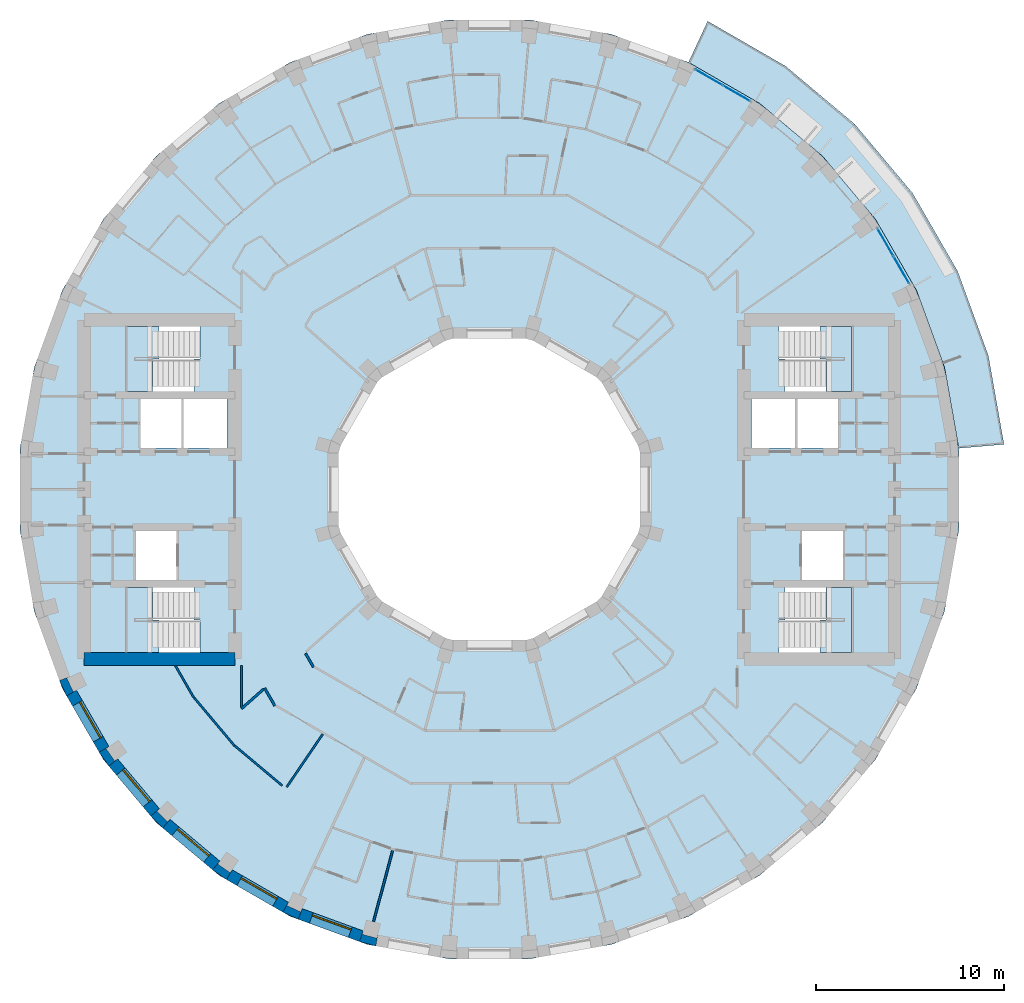
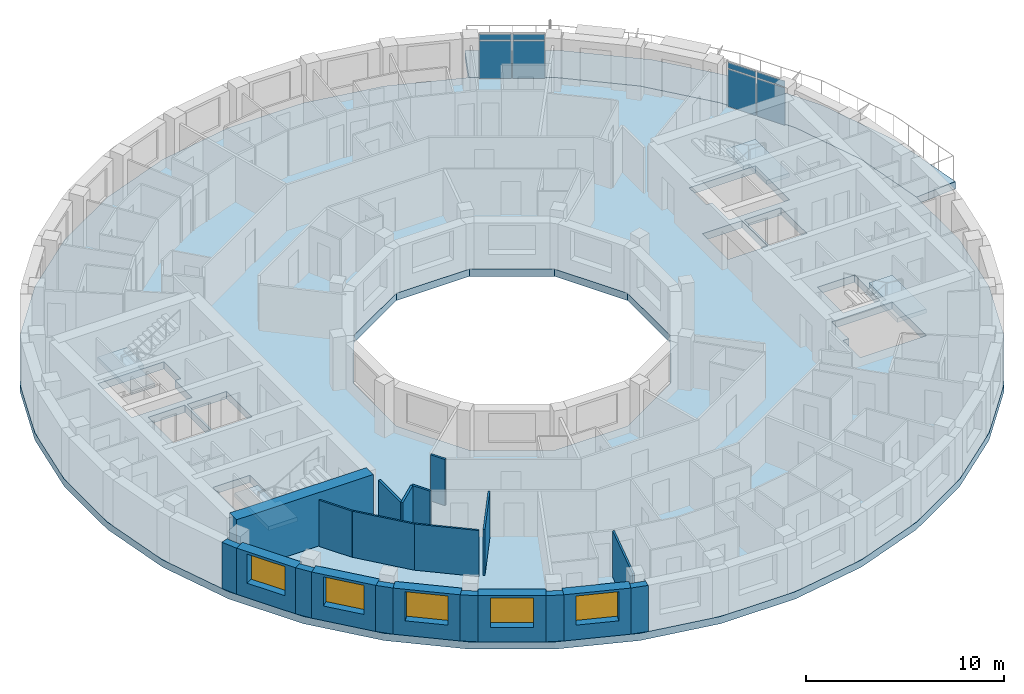
# One storey, part 3 of 15: 21 walls, 8 plates, 6 slabs, 5 windows, 5 openings, 6 elements without a shape of their own.
"""IFC4 building model written with IfcOpenShell, lengths in metres."""

from ifc_helpers import new_model, si_unit, direction, frame, frame_2d, origin, origin_2d, place, context, subcontext, project, spatial, polyline, rectangle, outline, extrude, material, layer, layer_set, type_object, element, fill, aggregate, save


model = new_model("IFC4")

# Units and contexts
model_context = context("Model", 3, precision=1e-05, world=origin(), true_north=direction((0.0, 1.0)))
body_context = subcontext(model_context, "Body", "Model", "MODEL_VIEW")
ifc_project = project(units=[si_unit("LENGTHUNIT", "METRE"), si_unit("AREAUNIT", "SQUARE_METRE"), si_unit("VOLUMEUNIT", "CUBIC_METRE"), si_unit("PLANEANGLEUNIT", "RADIAN"), si_unit("MASSUNIT", "GRAM", prefix="KILO")], contexts=[model_context])

# Site, building, storey
site_placement = place(None, origin())
site = spatial("IfcSite", under=ifc_project, at=site_placement, CompositionType="ELEMENT")
building_placement = place(site_placement, origin())
building = spatial("IfcBuilding", under=site, at=building_placement, Name="Saqina Gate Tower", CompositionType="ELEMENT")
storey_placement = place(building_placement, frame((0.0, 0.0, 190.5)))
storey = spatial("IfcBuildingStorey", under=building, at=storey_placement, Name="L54", CompositionType="ELEMENT", Elevation=190.5)

# Curtain wall, plates
ifc_material_1 = material(Name="Aluminium glazing", Category="aluminium")
ifc_layer_1 = layer(ifc_material_1, 0.159912109375)
ifc_layer_set_1 = layer_set([ifc_layer_1], Name="CWT-4")
curtain_wall_type = type_object("IfcCurtainWallType", Name="CWT-4", PredefinedType="NOTDEFINED", material=ifc_layer_set_1)
curtain_wall_1_placement = place(storey_placement, origin())
curtain_wall_1 = element("IfcCurtainWall", 1, at=curtain_wall_1_placement, inside=storey, type_object=curtain_wall_type, Name="Terrace lounge glazing facet 3", PredefinedType="NOTDEFINED")
ifc_material_2 = material(Name="Glass", Category="glass")
ifc_layer_2 = layer(ifc_material_2, 0.028076171875)
ifc_layer_set_2 = layer_set([ifc_layer_2], Name="CWT-4P")
plate_type = type_object("IfcPlateType", Name="CWT-4P", PredefinedType="CURTAIN_PANEL", material=ifc_layer_set_2)
plate_1_placement = place(storey_placement, frame((21.862060546875, 11.6435546875, 0.06005859375), z_axis=(0.0, 0.0, 1.0), x_axis=(-0.500014364391, 0.866017110341, 0.0)))
plate_1 = element("IfcPlate", 2, at=plate_1_placement, type_object=plate_type, Name="CW4-03 panel 1.1", PredefinedType="CURTAIN_PANEL", context=body_context, shape_type="SweptSolid", body=[
    extrude(rectangle(XDim=1.634765625, YDim=0.028076171875, at=origin_2d()), origin(), (0.0, 0.0, 1.0), 2.31005859375),
])
plate_2_placement = place(storey_placement, frame((21.862060546875, 11.6435546875, 2.43017578125), z_axis=(0.0, 0.0, 1.0), x_axis=(-0.500014364391, 0.866017110341, 0.0)))
plate_2 = element("IfcPlate", 3, at=plate_2_placement, type_object=plate_type, Name="CW4-03 panel 1.2", PredefinedType="CURTAIN_PANEL", context=body_context, shape_type="SweptSolid", body=[
    extrude(rectangle(XDim=1.634765625, YDim=0.028076171875, at=origin_2d()), origin(), (0.0, 0.0, 1.0), 0.360107421875),
])
plate_3_placement = place(storey_placement, frame((21.0146484375, 13.111328125, 0.06005859375), z_axis=(0.0, 0.0, 1.0), x_axis=(-0.500014364391, 0.866017110341, 0.0)))
plate_3 = element("IfcPlate", 4, at=plate_3_placement, type_object=plate_type, Name="CW4-03 panel 2.1", PredefinedType="CURTAIN_PANEL", context=body_context, shape_type="SweptSolid", body=[
    extrude(rectangle(XDim=1.634765625, YDim=0.028076171875, at=origin_2d()), origin(), (0.0, 0.0, 1.0), 2.31005859375),
])
plate_4_placement = place(storey_placement, frame((21.0146484375, 13.111328125, 2.43017578125), z_axis=(0.0, 0.0, 1.0), x_axis=(-0.500014364391, 0.866017110341, 0.0)))
plate_4 = element("IfcPlate", 5, at=plate_4_placement, type_object=plate_type, Name="CW4-03 panel 2.2", PredefinedType="CURTAIN_PANEL", context=body_context, shape_type="SweptSolid", body=[
    extrude(rectangle(XDim=1.634765625, YDim=0.028076171875, at=origin_2d()), origin(), (0.0, 0.0, 1.0), 0.360107421875),
])
aggregate(curtain_wall_1, [plate_1, plate_2, plate_3, plate_4])

curtain_wall_2_placement = place(storey_placement, origin())
curtain_wall_2 = element("IfcCurtainWall", 6, at=curtain_wall_2_placement, inside=storey, type_object=curtain_wall_type, Name="Terrace lounge glazing facet 6", PredefinedType="NOTDEFINED")
plate_5_placement = place(storey_placement, frame((13.111328125, 21.0146484375, 0.06005859375), z_axis=(0.0, 0.0, 1.0), x_axis=(-0.866017110341, 0.500014364391, 0.0)))
plate_5 = element("IfcPlate", 7, at=plate_5_placement, type_object=plate_type, Name="CW4-06 panel 1.1", PredefinedType="CURTAIN_PANEL", context=body_context, shape_type="SweptSolid", body=[
    extrude(rectangle(XDim=1.634765625, YDim=0.028076171875, at=origin_2d()), origin(), (0.0, 0.0, 1.0), 2.31005859375),
])
plate_6_placement = place(storey_placement, frame((13.111328125, 21.0146484375, 2.43017578125), z_axis=(0.0, 0.0, 1.0), x_axis=(-0.866017110341, 0.500014364391, 0.0)))
plate_6 = element("IfcPlate", 8, at=plate_6_placement, type_object=plate_type, Name="CW4-06 panel 1.2", PredefinedType="CURTAIN_PANEL", context=body_context, shape_type="SweptSolid", body=[
    extrude(rectangle(XDim=1.634765625, YDim=0.028076171875, at=origin_2d()), origin(), (0.0, 0.0, 1.0), 0.360107421875),
])
plate_7_placement = place(storey_placement, frame((11.6435546875, 21.862060546875, 0.06005859375), z_axis=(0.0, 0.0, 1.0), x_axis=(-0.866017110341, 0.500014364391, 0.0)))
plate_7 = element("IfcPlate", 9, at=plate_7_placement, type_object=plate_type, Name="CW4-06 panel 2.1", PredefinedType="CURTAIN_PANEL", context=body_context, shape_type="SweptSolid", body=[
    extrude(rectangle(XDim=1.634765625, YDim=0.028076171875, at=origin_2d()), origin(), (0.0, 0.0, 1.0), 2.31005859375),
])
plate_8_placement = place(storey_placement, frame((11.6435546875, 21.862060546875, 2.43017578125), z_axis=(0.0, 0.0, 1.0), x_axis=(-0.866017110341, 0.500014364391, 0.0)))
plate_8 = element("IfcPlate", 10, at=plate_8_placement, type_object=plate_type, Name="CW4-06 panel 2.2", PredefinedType="CURTAIN_PANEL", context=body_context, shape_type="SweptSolid", body=[
    extrude(rectangle(XDim=1.634765625, YDim=0.028076171875, at=origin_2d()), origin(), (0.0, 0.0, 1.0), 0.360107421875),
])
aggregate(curtain_wall_2, [plate_5, plate_6, plate_7, plate_8])

# Stair, slab
ifc_material_3 = material(Name="Concrete C40/50", Category="concrete")
stair_type = type_object("IfcStairType", Name="EXIT STAIR", PredefinedType="HALF_TURN_STAIR", material=ifc_material_3)
stair_1_placement = place(storey_placement, origin())
stair_1 = element("IfcStair", 11, at=stair_1_placement, inside=storey, type_object=stair_type, Name="EXIT STAIR 1", PredefinedType="HALF_TURN_STAIR")
ifc_material_4 = material(Name="Concrete C40/50", Category="concrete")
ifc_layer_3 = layer(ifc_material_4, 0.25)
ifc_layer_set_3 = layer_set([ifc_layer_3], Name="Concrete C40/50")
slab_type_1 = type_object("IfcSlabType", Name="EXIT STAIR LANDING", PredefinedType="LANDING", material=ifc_layer_set_3)
slab_1_placement = place(storey_placement, frame((0.0, 0.0, 1.39990234375)))
slab_1 = element("IfcSlab", 12, at=slab_1_placement, type_object=slab_type_1, Name="EXIT STAIR 1 LANDING 1", PredefinedType="LANDING", context=body_context, shape_type="SweptSolid", body=[
    extrude(outline(polyline([(19.219970703125, 8.64990234375), (19.219970703125, 5.199951171875), (17.864990234375, 5.199951171875), (17.864990234375, 6.925048828125), (17.534423828125, 6.925048828125), (17.534423828125, 8.64990234375), (17.864990234375, 8.64990234375), (17.8701171875, 8.64990234375), (19.219970703125, 8.64990234375)])), origin(), (0.0, 0.0, 1.0), 0.25),
])
aggregate(stair_1, [slab_1])

stair_2_placement = place(storey_placement, origin())
stair_2 = element("IfcStair", 13, at=stair_2_placement, inside=storey, type_object=stair_type, Name="EXIT STAIR 2", PredefinedType="HALF_TURN_STAIR")
slab_2_placement = place(storey_placement, frame((0.0, 0.0, 1.39990234375)))
slab_2 = element("IfcSlab", 14, at=slab_2_placement, type_object=slab_type_1, Name="EXIT STAIR 2 LANDING 1", PredefinedType="LANDING", context=body_context, shape_type="SweptSolid", body=[
    extrude(outline(polyline([(17.534423828125, -8.64990234375), (17.534423828125, -6.925048828125), (17.864990234375, -6.925048828125), (17.864990234375, -5.199951171875), (19.219970703125, -5.199951171875), (19.219970703125, -8.64990234375), (17.8701171875, -8.64990234375), (17.864990234375, -8.64990234375), (17.534423828125, -8.64990234375)])), origin(), (0.0, 0.0, 1.0), 0.25),
])
aggregate(stair_2, [slab_2])

stair_3_placement = place(storey_placement, origin())
stair_3 = element("IfcStair", 15, at=stair_3_placement, inside=storey, type_object=stair_type, Name="EXIT STAIR 3", PredefinedType="HALF_TURN_STAIR")
slab_3_placement = place(storey_placement, frame((0.0, 0.0, 1.39990234375)))
slab_3 = element("IfcSlab", 16, at=slab_3_placement, type_object=slab_type_1, Name="EXIT STAIR 3 LANDING 1", PredefinedType="LANDING", context=body_context, shape_type="SweptSolid", body=[
    extrude(outline(polyline([(-17.864990234375, 5.199951171875), (-19.219970703125, 5.199951171875), (-19.219970703125, 8.64990234375), (-17.8701171875, 8.64990234375), (-17.864990234375, 8.64990234375), (-17.534423828125, 8.64990234375), (-17.534423828125, 6.925048828125), (-17.864990234375, 6.925048828125), (-17.864990234375, 5.199951171875)])), origin(), (0.0, 0.0, 1.0), 0.25),
])
aggregate(stair_3, [slab_3])

stair_4_placement = place(storey_placement, origin())
stair_4 = element("IfcStair", 17, at=stair_4_placement, inside=storey, type_object=stair_type, Name="EXIT STAIR 4", PredefinedType="HALF_TURN_STAIR")
slab_4_placement = place(storey_placement, frame((0.0, 0.0, 1.39990234375)))
slab_4 = element("IfcSlab", 18, at=slab_4_placement, type_object=slab_type_1, Name="EXIT STAIR 4 LANDING 1", PredefinedType="LANDING", context=body_context, shape_type="SweptSolid", body=[
    extrude(outline(polyline([(-17.534423828125, -6.925048828125), (-17.534423828125, -8.64990234375), (-17.864990234375, -8.64990234375), (-17.8701171875, -8.64990234375), (-19.219970703125, -8.64990234375), (-19.219970703125, -5.199951171875), (-17.864990234375, -5.199951171875), (-17.864990234375, -6.925048828125), (-17.534423828125, -6.925048828125)])), origin(), (0.0, 0.0, 1.0), 0.25),
])
aggregate(stair_4, [slab_4])

# Slabs
ifc_material_5 = material(Name="Concrete C40/50", Category="concrete")
ifc_layer_4 = layer(ifc_material_5, 0.449951171875)
ifc_layer_set_4 = layer_set([ifc_layer_4], Name="Concrete C40/50")
slab_type_2 = type_object("IfcSlabType", Name="STR-POST-TENSIONED FLAT PLATE FLOOR-450", PredefinedType="FLOOR", material=ifc_layer_set_4)
slab_5_placement = place(storey_placement, frame((0.0, 0.0, -0.449951171875)))
element("IfcSlab", 19, at=slab_5_placement, inside=storey, type_object=slab_type_2, Name="L54-SLB01", PredefinedType="FLOOR", context=body_context, shape_type="SweptSolid", body=[
    extrude(outline(polyline([(24.148193359375, -6.470458984375), (24.90478515625, -2.178955078125), (24.90478515625, 2.178955078125), (24.148193359375, 6.470458984375), (22.65771484375, 10.5654296875), (20.478759765625, 14.33935546875), (17.677734375, 17.677734375), (14.33935546875, 20.478759765625), (10.5654296875, 22.65771484375), (6.470458984375, 24.148193359375), (2.178955078125, 24.90478515625), (-2.178955078125, 24.90478515625), (-6.470458984375, 24.148193359375), (-10.5654296875, 22.65771484375), (-14.33935546875, 20.478759765625), (-17.677734375, 17.677734375), (-20.478759765625, 14.33935546875), (-22.65771484375, 10.5654296875), (-24.148193359375, 6.470458984375), (-24.90478515625, 2.178955078125), (-24.90478515625, -2.178955078125), (-24.148193359375, -6.470458984375), (-22.65771484375, -10.5654296875), (-20.478759765625, -14.33935546875), (-17.677734375, -17.677734375), (-14.33935546875, -20.478759765625), (-10.5654296875, -22.65771484375), (-6.470458984375, -24.148193359375), (-2.178955078125, -24.90478515625), (2.178955078125, -24.90478515625), (6.470458984375, -24.148193359375), (10.5654296875, -22.65771484375), (14.33935546875, -20.478759765625), (17.677734375, -17.677734375), (20.478759765625, -14.33935546875), (22.65771484375, -10.5654296875), (24.148193359375, -6.470458984375)]), holes=[polyline([(2.1435546875, 8.0), (5.8564453125, 5.8564453125), (8.0, 2.1435546875), (8.0, -2.1435546875), (5.8564453125, -5.8564453125), (2.1435546875, -8.0), (-2.1435546875, -8.0), (-5.8564453125, -5.8564453125), (-8.0, -2.1435546875), (-8.0, 2.1435546875), (-5.8564453125, 5.8564453125), (-2.1435546875, 8.0), (2.1435546875, 8.0)]), polyline([(-15.35498046875, -8.64990234375), (-19.219970703125, -8.64990234375), (-19.219970703125, -6.925048828125), (-19.219970703125, -5.199951171875), (-15.685546875, -5.199951171875), (-15.685546875, -6.925048828125), (-15.35498046875, -6.925048828125), (-15.35498046875, -8.64990234375)]), polyline([(-16.590087890625, -2.199951171875), (-16.590087890625, -4.800048828125), (-18.75, -4.800048828125), (-18.75, -2.199951171875), (-16.590087890625, -2.199951171875)]), polyline([(-16.340087890625, 4.800048828125), (-16.340087890625, 2.199951171875), (-18.5, 2.199951171875), (-18.5, 4.800048828125), (-16.340087890625, 4.800048828125)]), polyline([(-13.909912109375, 4.800048828125), (-13.909912109375, 2.199951171875), (-16.219970703125, 2.199951171875), (-16.219970703125, 4.800048828125), (-13.909912109375, 4.800048828125)]), polyline([(-19.219970703125, 6.925048828125), (-19.219970703125, 8.64990234375), (-15.35498046875, 8.64990234375), (-15.35498046875, 6.925048828125), (-15.685546875, 6.925048828125), (-15.685546875, 5.199951171875), (-19.219970703125, 5.199951171875), (-19.219970703125, 6.925048828125)]), polyline([(15.35498046875, -8.64990234375), (15.35498046875, -6.925048828125), (15.685546875, -6.925048828125), (15.685546875, -5.199951171875), (19.219970703125, -5.199951171875), (19.219970703125, -6.925048828125), (19.219970703125, -8.64990234375), (15.35498046875, -8.64990234375)]), polyline([(18.75, -2.199951171875), (18.75, -4.800048828125), (16.590087890625, -4.800048828125), (16.590087890625, -2.199951171875), (18.75, -2.199951171875)]), polyline([(16.219970703125, 4.800048828125), (16.219970703125, 2.199951171875), (13.909912109375, 2.199951171875), (13.909912109375, 4.800048828125), (16.219970703125, 4.800048828125)]), polyline([(18.5, 4.800048828125), (18.5, 2.199951171875), (16.340087890625, 2.199951171875), (16.340087890625, 4.800048828125), (18.5, 4.800048828125)]), polyline([(15.685546875, 6.925048828125), (15.35498046875, 6.925048828125), (15.35498046875, 8.64990234375), (19.219970703125, 8.64990234375), (19.219970703125, 6.925048828125), (19.219970703125, 5.199951171875), (15.685546875, 5.199951171875), (15.685546875, 6.925048828125)])]), origin(), (0.0, 0.0, 1.0), 0.449951171875),
])
ifc_material_6 = material(Name="Concrete C40/50", Category="concrete")
ifc_layer_5 = layer(ifc_material_6, 0.449951171875)
ifc_layer_set_5 = layer_set([ifc_layer_5], Name="Concrete C40/50")
slab_type_3 = type_object("IfcSlabType", Name="STR-POST-TENSIONED FLAT PLATE TERRACE-450", PredefinedType="FLOOR", material=ifc_layer_set_5)
slab_6_placement = place(storey_placement, frame((0.0, 0.0, -0.449951171875)))
element("IfcSlab", 20, at=slab_6_placement, inside=storey, type_object=slab_type_3, Name="L54-TRS01", PredefinedType="FLOOR", context=body_context, shape_type="SweptSolid", body=[
    extrude(outline(polyline([(24.90478515625, 2.178955078125), (24.148193359375, 6.470458984375), (22.65771484375, 10.5654296875), (20.478759765625, 14.33935546875), (17.677734375, 17.677734375), (14.33935546875, 20.478759765625), (10.5654296875, 22.65771484375), (11.58349609375, 24.841064453125), (15.72119140625, 22.452392578125), (19.381103515625, 19.381103515625), (22.452392578125, 15.72119140625), (24.841064453125, 11.58349609375), (26.475341796875, 7.093994140625), (27.304931640625, 2.388916015625), (24.90478515625, 2.178955078125)])), origin(), (0.0, 0.0, 1.0), 0.449951171875),
])

# Walls
ifc_material_7 = material(Name="Brick masonry (buff)", Category="masonry")
wall_type_1 = type_object("IfcWallType", Name="BRICK PIER COPING BUFF", PredefinedType="SOLIDWALL", material=ifc_material_7)
wall_1_placement = place(storey_placement, origin())
element("IfcWall", 21, at=wall_1_placement, inside=storey, type_object=wall_type_1, Name="Pier cap L54 column 21", PredefinedType="SOLIDWALL", context=body_context, shape_type="SweptSolid", body=[
    extrude(outline(polyline([(-22.4306640625, -10.958740234375), (-21.9111328125, -10.65869140625), (-22.080810546875, -10.73779296875), (-22.4189453125, -10.0126953125), (-22.249267578125, -9.93359375), (-22.81298828125, -10.138916015625), (-22.4306640625, -10.958740234375)])), origin(), (0.0, 0.0, 1.0), 2.85009765625),
])
wall_2_placement = place(storey_placement, origin())
element("IfcWall", 22, at=wall_2_placement, inside=storey, type_object=wall_type_1, Name="Pier cap L54 column 22", PredefinedType="SOLIDWALL", context=body_context, shape_type="SweptSolid", body=[
    extrude(outline(polyline([(-20.705810546875, -13.9462890625), (-20.18701171875, -14.687255859375), (-19.727294921875, -14.301513671875), (-19.880859375, -14.408935546875), (-20.339599609375, -13.753662109375), (-20.186279296875, -13.646240234375), (-20.705810546875, -13.9462890625)])), origin(), (0.0, 0.0, 1.0), 2.85009765625),
])
wall_3_placement = place(storey_placement, origin())
element("IfcWall", 23, at=wall_3_placement, inside=storey, type_object=wall_type_1, Name="Pier cap L54 column 23", PredefinedType="SOLIDWALL", context=body_context, shape_type="SweptSolid", body=[
    extrude(outline(polyline([(-17.329833984375, -17.969482421875), (-16.944091796875, -17.510009765625), (-17.07666015625, -17.642333984375), (-17.642333984375, -17.07666015625), (-17.510009765625, -16.944091796875), (-17.969482421875, -17.329833984375), (-17.329833984375, -17.969482421875)])), origin(), (0.0, 0.0, 1.0), 2.85009765625),
])
wall_4_placement = place(storey_placement, origin())
element("IfcWall", 24, at=wall_4_placement, inside=storey, type_object=wall_type_1, Name="Pier cap L54 column 24", PredefinedType="SOLIDWALL", context=body_context, shape_type="SweptSolid", body=[
    extrude(outline(polyline([(-14.687255859375, -20.18701171875), (-13.9462890625, -20.705810546875), (-13.646240234375, -20.186279296875), (-13.753662109375, -20.339599609375), (-14.408935546875, -19.880859375), (-14.301513671875, -19.727294921875), (-14.687255859375, -20.18701171875)])), origin(), (0.0, 0.0, 1.0), 2.85009765625),
])
wall_5_placement = place(storey_placement, origin())
element("IfcWall", 25, at=wall_5_placement, inside=storey, type_object=wall_type_1, Name="Pier cap L54 column 25", PredefinedType="SOLIDWALL", context=body_context, shape_type="SweptSolid", body=[
    extrude(outline(polyline([(-10.138916015625, -22.81298828125), (-9.93359375, -22.249267578125), (-10.0126953125, -22.4189453125), (-10.73779296875, -22.080810546875), (-10.65869140625, -21.9111328125), (-10.958740234375, -22.4306640625), (-10.138916015625, -22.81298828125)])), origin(), (0.0, 0.0, 1.0), 2.85009765625),
])
wall_6_placement = place(storey_placement, origin())
element("IfcWall", 26, at=wall_6_placement, inside=storey, type_object=wall_type_1, Name="Pier cap L54 column 26", PredefinedType="SOLIDWALL", context=body_context, shape_type="SweptSolid", body=[
    extrude(outline(polyline([(-6.0234375, -24.22705078125), (-5.919189453125, -23.635986328125), (-5.967529296875, -23.81689453125), (-6.740478515625, -23.610107421875), (-6.69189453125, -23.428955078125), (-6.897216796875, -23.992919921875), (-6.0234375, -24.22705078125)])), origin(), (0.0, 0.0, 1.0), 2.85009765625),
])

# Wall, opening, window
ifc_material_8 = material(Name="Brick masonry (buff)", Category="masonry")
ifc_layer_6 = layer(ifc_material_8, 0.60009765625)
ifc_layer_set_6 = layer_set([ifc_layer_6], Name="FW-BRICK-BUFF")
wall_type_2 = type_object("IfcWallType", Name="FW-BRICK-BUFF", PredefinedType="SOLIDWALL", material=ifc_layer_set_6)
wall_7_placement = place(storey_placement, frame((-22.1708984375, -10.80859375, 0.0), z_axis=(0.0, 0.0, 1.0), x_axis=(0.499998129301, -0.86602648383, 0.0)))
wall_7 = element("IfcWall", 27, at=wall_7_placement, inside=storey, type_object=wall_type_2, Name="Facade wall L54 facet 21", PredefinedType="SOLIDWALL", context=body_context, shape_type="SweptSolid", body=[
    extrude(rectangle(XDim=3.44970703125, YDim=0.60009765625, at=frame_2d((1.724853515625, 0.0))), origin(), (0.0, 0.0, 1.0), 2.85009765625),
])
opening_1_placement = place(wall_7_placement, frame((0.625, 0.0, 0.89990234375)))
opening_1 = element("IfcOpeningElement", 28, at=opening_1_placement, cuts=wall_7, Name="Opening G16-W10", PredefinedType="OPENING", context=body_context, shape_type="SweptSolid", body=[
    extrude(rectangle(XDim=2.199951171875, YDim=1.800048828125, at=frame_2d((1.10009765625, 0.89990234375))), frame((0.0, 0.31201171875, 0.0), z_axis=(0.0, -1.0, 0.0), x_axis=(1.0, 0.0, 0.0)), (0.0, 0.0, 1.0), 0.6240234375),
])
ifc_material_9 = material(Name="Aluminium glazing", Category="aluminium")
window_type = type_object("IfcWindowType", Name="WN-C", PartitioningType="SINGLE_PANEL", PredefinedType="WINDOW", material=ifc_material_9)
window_1_placement = place(opening_1_placement, origin())
window_1 = element("IfcWindow", 29, at=window_1_placement, inside=storey, type_object=window_type, Name="Window L54 facet 21", OverallHeight=1.800048828125, OverallWidth=2.199951171875, PartitioningType="SINGLE_PANEL", PredefinedType="WINDOW", context=body_context, shape_type="SweptSolid", body=[
    extrude(rectangle(XDim=2.199951171875, YDim=1.800048828125, at=frame_2d((1.10009765625, 0.89990234375))), frame((0.0, 0.179931640625, 0.0), z_axis=(0.0, -1.0, 0.0), x_axis=(1.0, 0.0, 0.0)), (0.0, 0.0, 1.0), 0.06005859375),
])
fill(opening_1, window_1)

wall_8_placement = place(storey_placement, frame((-19.95703125, -14.494384765625, 0.0), z_axis=(0.0, 0.0, 1.0), x_axis=(0.642770398358, -0.766058884809, 0.0)))
wall_8 = element("IfcWall", 30, at=wall_8_placement, inside=storey, type_object=wall_type_2, Name="Facade wall L54 facet 22", PredefinedType="SOLIDWALL", context=body_context, shape_type="SweptSolid", body=[
    extrude(rectangle(XDim=3.449462890625, YDim=0.60009765625, at=frame_2d((1.724609375, 0.0))), origin(), (0.0, 0.0, 1.0), 2.85009765625),
])
opening_2_placement = place(wall_8_placement, frame((0.625, 0.0, 0.89990234375)))
opening_2 = element("IfcOpeningElement", 31, at=opening_2_placement, cuts=wall_8, Name="Opening G16-W11", PredefinedType="OPENING", context=body_context, shape_type="SweptSolid", body=[
    extrude(rectangle(XDim=2.199951171875, YDim=1.800048828125, at=frame_2d((1.10009765625, 0.89990234375))), frame((0.0, 0.31201171875, 0.0), z_axis=(0.0, -1.0, 0.0), x_axis=(1.0, 0.0, 0.0)), (0.0, 0.0, 1.0), 0.6240234375),
])
window_2_placement = place(opening_2_placement, origin())
window_2 = element("IfcWindow", 32, at=window_2_placement, inside=storey, type_object=window_type, Name="Window L54 facet 22", OverallHeight=1.800048828125, OverallWidth=2.199951171875, PartitioningType="SINGLE_PANEL", PredefinedType="WINDOW", context=body_context, shape_type="SweptSolid", body=[
    extrude(rectangle(XDim=2.199951171875, YDim=1.800048828125, at=frame_2d((1.10009765625, 0.89990234375))), frame((0.0, 0.179931640625, 0.0), z_axis=(0.0, -1.0, 0.0), x_axis=(1.0, 0.0, 0.0)), (0.0, 0.0, 1.0), 0.06005859375),
])
fill(opening_2, window_2)

wall_9_placement = place(storey_placement, frame((-17.136962890625, -17.73974609375, 0.0), z_axis=(0.0, 0.0, 1.0), x_axis=(0.766058884809, -0.642770398358, 0.0)))
wall_9 = element("IfcWall", 33, at=wall_9_placement, inside=storey, type_object=wall_type_2, Name="Facade wall L54 facet 23", PredefinedType="SOLIDWALL", context=body_context, shape_type="SweptSolid", body=[
    extrude(rectangle(XDim=3.449462890625, YDim=0.60009765625, at=frame_2d((1.724609375, 0.0))), origin(), (0.0, 0.0, 1.0), 2.85009765625),
])
opening_3_placement = place(wall_9_placement, frame((0.625, 0.0, 0.89990234375)))
opening_3 = element("IfcOpeningElement", 34, at=opening_3_placement, cuts=wall_9, Name="Opening G16-W12", PredefinedType="OPENING", context=body_context, shape_type="SweptSolid", body=[
    extrude(rectangle(XDim=2.199951171875, YDim=1.800048828125, at=frame_2d((1.10009765625, 0.89990234375))), frame((0.0, 0.31201171875, 0.0), z_axis=(0.0, -1.0, 0.0), x_axis=(1.0, 0.0, 0.0)), (0.0, 0.0, 1.0), 0.6240234375),
])
window_3_placement = place(opening_3_placement, origin())
window_3 = element("IfcWindow", 35, at=window_3_placement, inside=storey, type_object=window_type, Name="Window L54 facet 23", OverallHeight=1.800048828125, OverallWidth=2.199951171875, PartitioningType="SINGLE_PANEL", PredefinedType="WINDOW", context=body_context, shape_type="SweptSolid", body=[
    extrude(rectangle(XDim=2.199951171875, YDim=1.800048828125, at=frame_2d((1.10009765625, 0.89990234375))), frame((0.0, 0.179931640625, 0.0), z_axis=(0.0, -1.0, 0.0), x_axis=(1.0, 0.0, 0.0)), (0.0, 0.0, 1.0), 0.06005859375),
])
fill(opening_3, window_3)

wall_10_placement = place(storey_placement, frame((-13.796142578125, -20.446044921875, 0.0), z_axis=(0.0, 0.0, 1.0), x_axis=(0.86602648383, -0.499998129301, 0.0)))
wall_10 = element("IfcWall", 36, at=wall_10_placement, inside=storey, type_object=wall_type_2, Name="Facade wall L54 facet 24", PredefinedType="SOLIDWALL", context=body_context, shape_type="SweptSolid", body=[
    extrude(rectangle(XDim=3.44970703125, YDim=0.60009765625, at=frame_2d((1.724853515625, 0.0))), origin(), (0.0, 0.0, 1.0), 2.85009765625),
])
opening_4_placement = place(wall_10_placement, frame((0.625, 0.0, 0.89990234375)))
opening_4 = element("IfcOpeningElement", 37, at=opening_4_placement, cuts=wall_10, Name="Opening G16-W13", PredefinedType="OPENING", context=body_context, shape_type="SweptSolid", body=[
    extrude(rectangle(XDim=2.199951171875, YDim=1.800048828125, at=frame_2d((1.10009765625, 0.89990234375))), frame((0.0, 0.31201171875, 0.0), z_axis=(0.0, -1.0, 0.0), x_axis=(1.0, 0.0, 0.0)), (0.0, 0.0, 1.0), 0.6240234375),
])
window_4_placement = place(opening_4_placement, origin())
window_4 = element("IfcWindow", 38, at=window_4_placement, inside=storey, type_object=window_type, Name="Window L54 facet 24", OverallHeight=1.800048828125, OverallWidth=2.199951171875, PartitioningType="SINGLE_PANEL", PredefinedType="WINDOW", context=body_context, shape_type="SweptSolid", body=[
    extrude(rectangle(XDim=2.199951171875, YDim=1.800048828125, at=frame_2d((1.10009765625, 0.89990234375))), frame((0.0, 0.179931640625, 0.0), z_axis=(0.0, -1.0, 0.0), x_axis=(1.0, 0.0, 0.0)), (0.0, 0.0, 1.0), 0.06005859375),
])
fill(opening_4, window_4)

wall_11_placement = place(storey_placement, frame((-10.0361328125, -22.531005859375, 0.0), z_axis=(0.0, 0.0, 1.0), x_axis=(0.93968799822, -0.342032843455, 0.0)))
wall_11 = element("IfcWall", 39, at=wall_11_placement, inside=storey, type_object=wall_type_2, Name="Facade wall L54 facet 25", PredefinedType="SOLIDWALL", context=body_context, shape_type="SweptSolid", body=[
    extrude(rectangle(XDim=3.44970703125, YDim=0.60009765625, at=frame_2d((1.724853515625, 0.0))), origin(), (0.0, 0.0, 1.0), 2.85009765625),
])
opening_5_placement = place(wall_11_placement, frame((0.625, 0.0, 0.89990234375)))
opening_5 = element("IfcOpeningElement", 40, at=opening_5_placement, cuts=wall_11, Name="Opening G16-W14", PredefinedType="OPENING", context=body_context, shape_type="SweptSolid", body=[
    extrude(rectangle(XDim=2.199951171875, YDim=1.800048828125, at=frame_2d((1.10009765625, 0.89990234375))), frame((0.0, 0.31201171875, 0.0), z_axis=(0.0, -1.0, 0.0), x_axis=(1.0, 0.0, 0.0)), (0.0, 0.0, 1.0), 0.6240234375),
])
window_5_placement = place(opening_5_placement, origin())
window_5 = element("IfcWindow", 41, at=window_5_placement, inside=storey, type_object=window_type, Name="Window L54 facet 25", OverallHeight=1.800048828125, OverallWidth=2.199951171875, PartitioningType="SINGLE_PANEL", PredefinedType="WINDOW", context=body_context, shape_type="SweptSolid", body=[
    extrude(rectangle(XDim=2.199951171875, YDim=1.800048828125, at=frame_2d((1.10009765625, 0.89990234375))), frame((0.0, 0.179931640625, 0.0), z_axis=(0.0, -1.0, 0.0), x_axis=(1.0, 0.0, 0.0)), (0.0, 0.0, 1.0), 0.06005859375),
])
fill(opening_5, window_5)

# Walls
ifc_material_10 = material(Name="Gypsum board on steel studs, 100 mm", Category="steel")
ifc_layer_7 = layer(ifc_material_10, 0.10009765625)
ifc_layer_set_7 = layer_set([ifc_layer_7], Name="PARTITION 100")
wall_type_3 = type_object("IfcWallType", Name="PARTITION 100", PredefinedType="PARTITIONING", material=ifc_layer_set_7)
wall_12_placement = place(storey_placement, frame((-16.662109375, -9.35009765625, 0.0), z_axis=(0.0, 0.0, 1.0), x_axis=(0.499012734814, -0.86659465178, 0.0)))
element("IfcWall", 42, at=wall_12_placement, inside=storey, type_object=wall_type_3, Name="PARTITION PW3-16", PredefinedType="PARTITIONING", context=body_context, shape_type="SweptSolid", body=[
    extrude(rectangle(XDim=1.9560546875, YDim=0.10009765625, at=frame_2d((0.97802734375, 0.0))), origin(), (0.0, 0.0, 1.0), 2.85009765625),
])
wall_13_placement = place(storey_placement, frame((-15.677978515625, -11.038330078125, 0.0), z_axis=(0.0, 0.0, 1.0), x_axis=(0.642837591944, -0.766002500247, 0.0)))
element("IfcWall", 43, at=wall_13_placement, inside=storey, type_object=wall_type_3, Name="PARTITION PW3-22", PredefinedType="PARTITIONING", context=body_context, shape_type="SweptSolid", body=[
    extrude(rectangle(XDim=3.343994140625, YDim=0.10009765625, at=frame_2d((1.671875, 0.0))), origin(), (0.0, 0.0, 1.0), 2.85009765625),
])
wall_14_placement = place(storey_placement, frame((-13.522705078125, -13.59326171875, 0.0), z_axis=(0.0, 0.0, 1.0), x_axis=(0.766059647018, -0.64276948995, 0.0)))
element("IfcWall", 44, at=wall_14_placement, inside=storey, type_object=wall_type_3, Name="PARTITION PW3-32", PredefinedType="PARTITIONING", context=body_context, shape_type="SweptSolid", body=[
    extrude(rectangle(XDim=3.293212890625, YDim=0.10009765625, at=frame_2d((1.646484375, 0.0))), origin(), (0.0, 0.0, 1.0), 2.85009765625),
])
wall_15_placement = place(storey_placement, frame((-10.75390625, -15.793701171875, 0.0), z_axis=(0.0, 0.0, 1.0), x_axis=(0.562822277652, 0.826577935695, 0.0)))
element("IfcWall", 45, at=wall_15_placement, inside=storey, type_object=wall_type_3, Name="PARTITION PW3-86", PredefinedType="PARTITIONING", context=body_context, shape_type="SweptSolid", body=[
    extrude(rectangle(XDim=3.401611328125, YDim=0.10009765625, at=frame_2d((1.70068359375, 0.0))), origin(), (0.0, 0.0, 1.0), 2.85009765625),
])
wall_16_placement = place(storey_placement, frame((-6.14453125, -22.930908203125, 0.0), z_axis=(0.0, 0.0, 1.0), x_axis=(0.259139967725, 0.965839778186, 0.0)))
element("IfcWall", 46, at=wall_16_placement, inside=storey, type_object=wall_type_3, Name="PARTITION PW3-94", PredefinedType="PARTITIONING", context=body_context, shape_type="SweptSolid", body=[
    extrude(rectangle(XDim=3.8974609375, YDim=0.10009765625, at=frame_2d((1.94873046875, 0.0))), origin(), (0.0, 0.0, 1.0), 2.85009765625),
])
ifc_material_11 = material(Name="Gypsum board on steel studs, 125 mm, fire rated", Category="steel")
ifc_layer_8 = layer(ifc_material_11, 0.125)
ifc_layer_set_8 = layer_set([ifc_layer_8], Name="PARTITION EI 30 125")
wall_type_4 = type_object("IfcWallType", Name="PARTITION EI 30 125", PredefinedType="PARTITIONING", material=ifc_layer_set_8)
wall_17_placement = place(storey_placement, frame((-11.923095703125, -10.549072265625, 0.0), z_axis=(0.0, 0.0, 1.0), x_axis=(0.500304011038, -0.865849811769, 0.0)))
element("IfcWall", 47, at=wall_17_placement, inside=storey, type_object=wall_type_4, Name="PARTITION PW1-01", PredefinedType="PARTITIONING", context=body_context, shape_type="SweptSolid", body=[
    extrude(rectangle(XDim=1.077880859375, YDim=0.125, at=frame_2d((0.5390625, 0.0))), origin(), (0.0, 0.0, 1.0), 2.85009765625),
])
wall_18_placement = place(storey_placement, frame((-9.751708984375, -8.709228515625, 0.0), z_axis=(0.0, 0.0, 1.0), x_axis=(0.500194796412, -0.865912908809, 0.0)))
element("IfcWall", 48, at=wall_18_placement, inside=storey, type_object=wall_type_4, Name="PARTITION PW1-02", PredefinedType="PARTITIONING", context=body_context, shape_type="SweptSolid", body=[
    extrude(rectangle(XDim=0.835205078125, YDim=0.125, at=frame_2d((0.41748046875, 0.0))), origin(), (0.0, 0.0, 1.0), 2.85009765625),
])
wall_19_placement = place(storey_placement, frame((-13.14990234375, -11.634033203125, 0.0), z_axis=(0.0, 0.0, 1.0), x_axis=(0.748946277056, 0.662630722261, 0.0)))
element("IfcWall", 49, at=wall_19_placement, inside=storey, type_object=wall_type_4, Name="PARTITION PW1-39", PredefinedType="PARTITIONING", context=body_context, shape_type="SweptSolid", body=[
    extrude(rectangle(XDim=1.575439453125, YDim=0.125, at=frame_2d((0.78759765625, 0.0))), origin(), (0.0, 0.0, 1.0), 2.85009765625),
])
wall_20_placement = place(storey_placement, frame((-13.14990234375, -11.571533203125, 0.0), z_axis=(0.0, 0.0, 1.0), x_axis=(0.0, 1.0, 0.0)))
element("IfcWall", 50, at=wall_20_placement, inside=storey, type_object=wall_type_4, Name="PARTITION PW1-52", PredefinedType="PARTITIONING", context=body_context, shape_type="SweptSolid", body=[
    extrude(rectangle(XDim=2.221435546875, YDim=0.125, at=frame_2d((1.11083984375, 0.0))), origin(), (0.0, 0.0, 1.0), 2.85009765625),
])
ifc_material_12 = material(Name="Concrete C60/75", Category="concrete")
ifc_layer_9 = layer(ifc_material_12, 0.699951171875)
ifc_layer_set_9 = layer_set([ifc_layer_9], Name="Concrete C60/75")
wall_type_5 = type_object("IfcWallType", Name="STR-CORE WALL-C-O", PredefinedType="SHEAR", material=ifc_layer_set_9)
wall_21_placement = place(storey_placement, frame((-13.5, -9.0, 0.0), z_axis=(0.0, 0.0, 1.0), x_axis=(-1.0, 0.0, 0.0)))
element("IfcWall", 51, at=wall_21_placement, inside=storey, type_object=wall_type_5, Name="CORE WALL L54 W-SE", PredefinedType="SHEAR", context=body_context, shape_type="SweptSolid", body=[
    extrude(rectangle(XDim=8.0, YDim=0.699951171875, at=frame_2d((4.0, 0.0))), origin(), (0.0, 0.0, 1.0), 3.300048828125),
])

save(model, "model.ifc")
